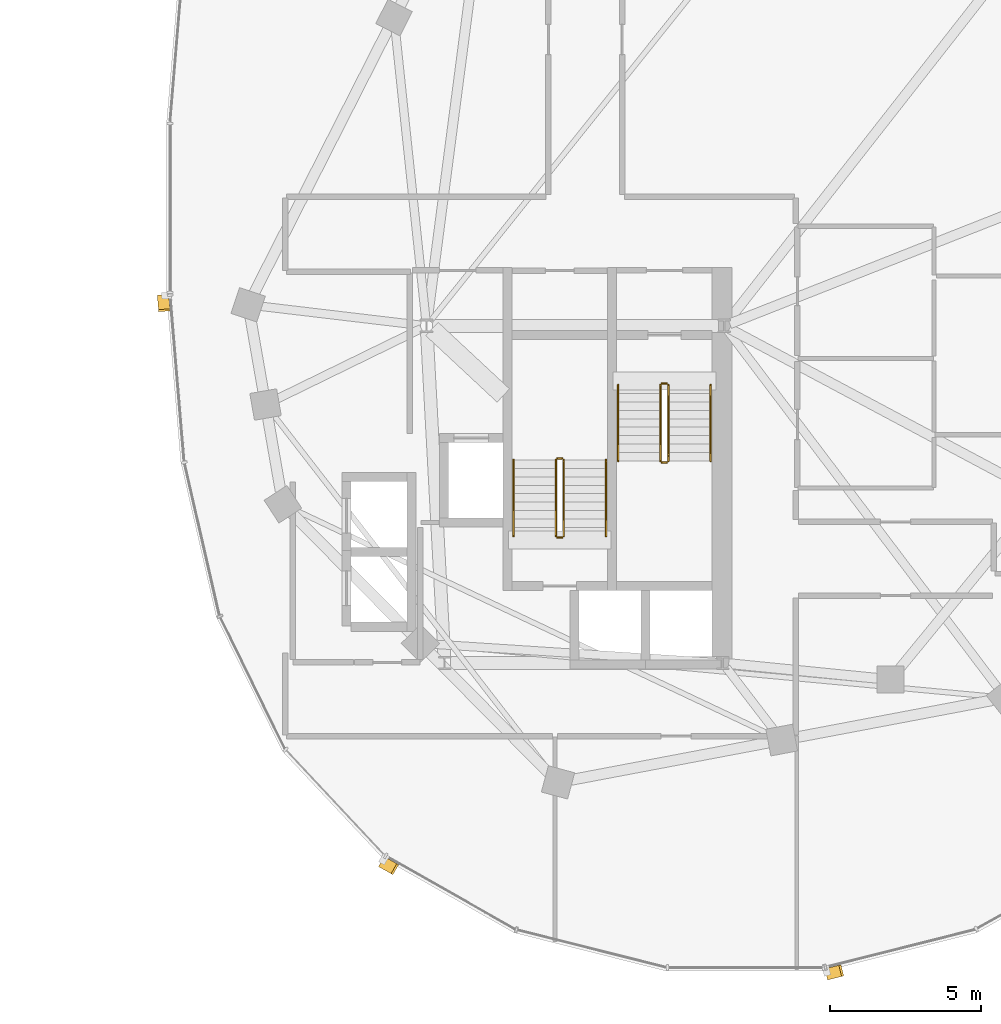
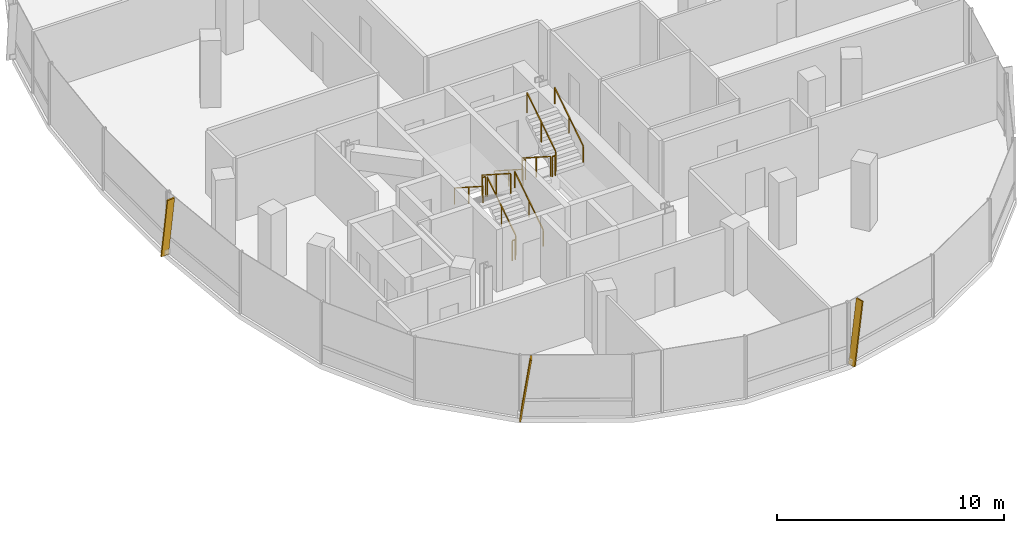
# One storey, part 24 of 25: 12 railings, 3 shading devices.
"""IFC4 building model written with IfcOpenShell, lengths in metres."""

from ifc_helpers import new_model, si_unit, direction, frame, origin, origin_2d, place, context, subcontext, project, spatial, rectangle, extrude, material, material_profile, profile_set, type_object, element, save


model = new_model("IFC4")

# Units and contexts
model_context = context("Model", 3, precision=1e-05, world=origin(), true_north=direction((0.0, 1.0)))
body_context = subcontext(model_context, "Body", "Model", "MODEL_VIEW")
ifc_project = project(units=[si_unit("LENGTHUNIT", "METRE"), si_unit("AREAUNIT", "SQUARE_METRE"), si_unit("VOLUMEUNIT", "CUBIC_METRE"), si_unit("PLANEANGLEUNIT", "RADIAN"), si_unit("MASSUNIT", "GRAM", prefix="KILO"), si_unit("THERMODYNAMICTEMPERATUREUNIT", "KELVIN"), si_unit("POWERUNIT", "WATT")], contexts=[model_context])

# Site, building, storey
site_placement = place(None, origin())
site = spatial("IfcSite", under=ifc_project, at=site_placement, CompositionType="ELEMENT")
building_placement = place(site_placement, origin())
building = spatial("IfcBuilding", under=site, at=building_placement, Name="Cundina Bronze Exchange", CompositionType="ELEMENT")
storey_placement = place(building_placement, frame((0.0, 0.0, 213.39990234375)))
storey = spatial("IfcBuildingStorey", under=building, at=storey_placement, Name="L56", CompositionType="ELEMENT", Elevation=213.39990234375)

# Railings
ifc_material_1 = material(Name="Steel ASTM A36 Painted", Category="steel")
railing_type_1 = type_object("IfcRailingType", Name="RLG-HND-900", PredefinedType="HANDRAIL", material=ifc_material_1)
railing_1_placement = place(storey_placement, frame((27.7900390625, -5.85009765625, 0.18017578125)))
element("IfcRailing", 1, at=railing_1_placement, inside=storey, type_object=railing_type_1, Name="L56 ST-E1 stair handrail 1", PredefinedType="HANDRAIL", context=body_context, shape_type="SweptSolid", body=[
    extrude(rectangle(XDim=0.048095703125, YDim=0.048095703125, at=origin_2d()), frame((0.0, 0.0, 0.8759765625), z_axis=(0.0, -0.841199657755, 0.540724639528), x_axis=(1.0, 0.0, 0.0)), (0.0, 0.0, 1.0), 2.995849609375),
    extrude(rectangle(XDim=0.0419921875, YDim=0.0419921875, at=origin_2d()), origin(), (0.0, 0.0, 1.0), 0.851806640625),
    extrude(rectangle(XDim=0.0419921875, YDim=0.0419921875, at=origin_2d()), frame((0.0, -1.260009765625, 0.81005859375)), (0.0, 0.0, 1.0), 0.851806640625),
    extrude(rectangle(XDim=0.0419921875, YDim=0.0419921875, at=origin_2d()), frame((0.0, -2.52001953125, 1.619873046875)), (0.0, 0.0, 1.0), 0.851806640625),
])
railing_2_placement = place(storey_placement, frame((30.85009765625, -8.3701171875, 1.97998046875)))
element("IfcRailing", 2, at=railing_2_placement, inside=storey, type_object=railing_type_1, Name="L56 ST-E1 stair handrail 2", PredefinedType="HANDRAIL", context=body_context, shape_type="SweptSolid", body=[
    extrude(rectangle(XDim=0.048095703125, YDim=0.048095703125, at=origin_2d()), frame((0.0, 0.0, 0.8759765625), z_axis=(0.0, 0.841162588446, 0.540782303519), x_axis=(-1.0, 0.0, 0.0)), (0.0, 0.0, 1.0), 2.995849609375),
    extrude(rectangle(XDim=0.0419921875, YDim=0.0419921875, at=origin_2d()), origin(), (0.0, 0.0, 1.0), 0.851806640625),
    extrude(rectangle(XDim=0.0419921875, YDim=0.0419921875, at=origin_2d()), frame((0.0, 1.260009765625, 0.81005859375)), (0.0, 0.0, 1.0), 0.851806640625),
    extrude(rectangle(XDim=0.0419921875, YDim=0.0419921875, at=origin_2d()), frame((0.0, 2.52001953125, 1.6201171875)), (0.0, 0.0, 1.0), 0.851806640625),
])
railing_3_placement = place(storey_placement, frame((27.389892578125, -10.85009765625, 0.18017578125)))
element("IfcRailing", 3, at=railing_3_placement, inside=storey, type_object=railing_type_1, Name="L56 ST-E2 stair handrail 1", PredefinedType="HANDRAIL", context=body_context, shape_type="SweptSolid", body=[
    extrude(rectangle(XDim=0.048095703125, YDim=0.048095703125, at=origin_2d()), frame((0.0, 0.0, 0.8759765625), z_axis=(0.0, 0.841199657755, 0.540724639528), x_axis=(-1.0, 0.0, 0.0)), (0.0, 0.0, 1.0), 2.995849609375),
    extrude(rectangle(XDim=0.0419921875, YDim=0.0419921875, at=origin_2d()), origin(), (0.0, 0.0, 1.0), 0.851806640625),
    extrude(rectangle(XDim=0.0419921875, YDim=0.0419921875, at=origin_2d()), frame((0.0, 1.260009765625, 0.81005859375)), (0.0, 0.0, 1.0), 0.851806640625),
    extrude(rectangle(XDim=0.0419921875, YDim=0.0419921875, at=origin_2d()), frame((0.0, 2.52001953125, 1.619873046875)), (0.0, 0.0, 1.0), 0.851806640625),
])
railing_4_placement = place(storey_placement, frame((24.330078125, -8.330078125, 1.97998046875)))
element("IfcRailing", 4, at=railing_4_placement, inside=storey, type_object=railing_type_1, Name="L56 ST-E2 stair handrail 2", PredefinedType="HANDRAIL", context=body_context, shape_type="SweptSolid", body=[
    extrude(rectangle(XDim=0.048095703125, YDim=0.048095703125, at=origin_2d()), frame((0.0, 0.0, 0.8759765625), z_axis=(0.0, -0.841162588446, 0.540782303519), x_axis=(1.0, 0.0, 0.0)), (0.0, 0.0, 1.0), 2.995849609375),
    extrude(rectangle(XDim=0.0419921875, YDim=0.0419921875, at=origin_2d()), origin(), (0.0, 0.0, 1.0), 0.851806640625),
    extrude(rectangle(XDim=0.0419921875, YDim=0.0419921875, at=origin_2d()), frame((0.0, -1.260009765625, 0.81005859375)), (0.0, 0.0, 1.0), 0.851806640625),
    extrude(rectangle(XDim=0.0419921875, YDim=0.0419921875, at=origin_2d()), frame((0.0, -2.52001953125, 1.6201171875)), (0.0, 0.0, 1.0), 0.851806640625),
])
railing_type_2 = type_object("IfcRailingType", Name="RLG-STG-1100", PredefinedType="GUARDRAIL", material=ifc_material_1)
railing_5_placement = place(storey_placement, frame((29.18994140625, -5.85009765625, 0.18017578125)))
element("IfcRailing", 5, at=railing_5_placement, inside=storey, type_object=railing_type_2, Name="L56 ST-E1 stair guard 1", PredefinedType="GUARDRAIL", context=body_context, shape_type="SweptSolid", body=[
    extrude(rectangle(XDim=0.048095703125, YDim=0.048095703125, at=origin_2d()), frame((0.0, 0.0, 1.076171875), z_axis=(0.0, -0.841199657755, 0.540724639528), x_axis=(1.0, 0.0, 0.0)), (0.0, 0.0, 1.0), 2.995849609375),
    extrude(rectangle(XDim=0.0419921875, YDim=0.0419921875, at=origin_2d()), origin(), (0.0, 0.0, 1.0), 1.052001953125),
    extrude(rectangle(XDim=0.0419921875, YDim=0.0419921875, at=origin_2d()), frame((0.0, -1.260009765625, 0.81005859375)), (0.0, 0.0, 1.0), 1.052001953125),
    extrude(rectangle(XDim=0.0419921875, YDim=0.0419921875, at=origin_2d()), frame((0.0, -2.52001953125, 1.619873046875)), (0.0, 0.0, 1.0), 1.052001953125),
])
railing_6_placement = place(storey_placement, frame((29.239990234375, -8.419921875, 1.800048828125)))
element("IfcRailing", 6, at=railing_6_placement, inside=storey, type_object=railing_type_2, Name="L56 ST-E1 stair guard 2", PredefinedType="GUARDRAIL", context=body_context, shape_type="SweptSolid", body=[
    extrude(rectangle(XDim=0.048095703125, YDim=0.048095703125, at=origin_2d()), frame((0.0, 0.0, 1.076171875), z_axis=(1.0, 0.0, 0.0), x_axis=(0.0, 1.0, 0.0)), (0.0, 0.0, 1.0), 0.159912109375),
    extrude(rectangle(XDim=0.0419921875, YDim=0.0419921875, at=origin_2d()), origin(), (0.0, 0.0, 1.0), 1.052001953125),
    extrude(rectangle(XDim=0.0419921875, YDim=0.0419921875, at=origin_2d()), frame((0.159912109375, 0.0, 0.0)), (0.0, 0.0, 1.0), 1.052001953125),
])
railing_7_placement = place(storey_placement, frame((29.449951171875, -8.3701171875, 1.97998046875)))
element("IfcRailing", 7, at=railing_7_placement, inside=storey, type_object=railing_type_2, Name="L56 ST-E1 stair guard 3", PredefinedType="GUARDRAIL", context=body_context, shape_type="SweptSolid", body=[
    extrude(rectangle(XDim=0.048095703125, YDim=0.048095703125, at=origin_2d()), frame((0.0, 0.0, 1.076171875), z_axis=(0.0, 0.841162588446, 0.540782303519), x_axis=(-1.0, 0.0, 0.0)), (0.0, 0.0, 1.0), 2.995849609375),
    extrude(rectangle(XDim=0.0419921875, YDim=0.0419921875, at=origin_2d()), origin(), (0.0, 0.0, 1.0), 1.052001953125),
    extrude(rectangle(XDim=0.0419921875, YDim=0.0419921875, at=origin_2d()), frame((0.0, 1.260009765625, 0.81005859375)), (0.0, 0.0, 1.0), 1.052001953125),
    extrude(rectangle(XDim=0.0419921875, YDim=0.0419921875, at=origin_2d()), frame((0.0, 2.52001953125, 1.6201171875)), (0.0, 0.0, 1.0), 1.052001953125),
])
railing_8_placement = place(storey_placement, frame((29.239990234375, -5.800048828125, 0.0)))
element("IfcRailing", 8, at=railing_8_placement, inside=storey, type_object=railing_type_2, Name="L56 ST-E1 stair guard 4", PredefinedType="GUARDRAIL", context=body_context, shape_type="SweptSolid", body=[
    extrude(rectangle(XDim=0.048095703125, YDim=0.048095703125, at=origin_2d()), frame((0.0, 0.0, 1.076171875), z_axis=(1.0, 0.0, 0.0), x_axis=(0.0, 1.0, 0.0)), (0.0, 0.0, 1.0), 0.159912109375),
    extrude(rectangle(XDim=0.0419921875, YDim=0.0419921875, at=origin_2d()), origin(), (0.0, 0.0, 1.0), 1.052001953125),
    extrude(rectangle(XDim=0.0419921875, YDim=0.0419921875, at=origin_2d()), frame((0.159912109375, 0.0, 0.0)), (0.0, 0.0, 1.0), 1.052001953125),
])
railing_9_placement = place(storey_placement, frame((25.989990234375, -10.85009765625, 0.18017578125)))
element("IfcRailing", 9, at=railing_9_placement, inside=storey, type_object=railing_type_2, Name="L56 ST-E2 stair guard 1", PredefinedType="GUARDRAIL", context=body_context, shape_type="SweptSolid", body=[
    extrude(rectangle(XDim=0.048095703125, YDim=0.048095703125, at=origin_2d()), frame((0.0, 0.0, 1.076171875), z_axis=(0.0, 0.841199657755, 0.540724639528), x_axis=(-1.0, 0.0, 0.0)), (0.0, 0.0, 1.0), 2.995849609375),
    extrude(rectangle(XDim=0.0419921875, YDim=0.0419921875, at=origin_2d()), origin(), (0.0, 0.0, 1.0), 1.052001953125),
    extrude(rectangle(XDim=0.0419921875, YDim=0.0419921875, at=origin_2d()), frame((0.0, 1.260009765625, 0.81005859375)), (0.0, 0.0, 1.0), 1.052001953125),
    extrude(rectangle(XDim=0.0419921875, YDim=0.0419921875, at=origin_2d()), frame((0.0, 2.52001953125, 1.619873046875)), (0.0, 0.0, 1.0), 1.052001953125),
])
railing_10_placement = place(storey_placement, frame((25.93994140625, -8.280029296875, 1.800048828125)))
element("IfcRailing", 10, at=railing_10_placement, inside=storey, type_object=railing_type_2, Name="L56 ST-E2 stair guard 2", PredefinedType="GUARDRAIL", context=body_context, shape_type="SweptSolid", body=[
    extrude(rectangle(XDim=0.048095703125, YDim=0.048095703125, at=origin_2d()), frame((0.0, 0.0, 1.076171875), z_axis=(-1.0, 0.0, 0.0), x_axis=(0.0, -1.0, 0.0)), (0.0, 0.0, 1.0), 0.159912109375),
    extrude(rectangle(XDim=0.0419921875, YDim=0.0419921875, at=origin_2d()), origin(), (0.0, 0.0, 1.0), 1.052001953125),
    extrude(rectangle(XDim=0.0419921875, YDim=0.0419921875, at=origin_2d()), frame((-0.159912109375, 0.0, 0.0)), (0.0, 0.0, 1.0), 1.052001953125),
])
railing_11_placement = place(storey_placement, frame((25.72998046875, -8.330078125, 1.97998046875)))
element("IfcRailing", 11, at=railing_11_placement, inside=storey, type_object=railing_type_2, Name="L56 ST-E2 stair guard 3", PredefinedType="GUARDRAIL", context=body_context, shape_type="SweptSolid", body=[
    extrude(rectangle(XDim=0.048095703125, YDim=0.048095703125, at=origin_2d()), frame((0.0, 0.0, 1.076171875), z_axis=(0.0, -0.841162588446, 0.540782303519), x_axis=(1.0, 0.0, 0.0)), (0.0, 0.0, 1.0), 2.995849609375),
    extrude(rectangle(XDim=0.0419921875, YDim=0.0419921875, at=origin_2d()), origin(), (0.0, 0.0, 1.0), 1.052001953125),
    extrude(rectangle(XDim=0.0419921875, YDim=0.0419921875, at=origin_2d()), frame((0.0, -1.260009765625, 0.81005859375)), (0.0, 0.0, 1.0), 1.052001953125),
    extrude(rectangle(XDim=0.0419921875, YDim=0.0419921875, at=origin_2d()), frame((0.0, -2.52001953125, 1.6201171875)), (0.0, 0.0, 1.0), 1.052001953125),
])
railing_12_placement = place(storey_placement, frame((25.93994140625, -10.89990234375, 0.0)))
element("IfcRailing", 12, at=railing_12_placement, inside=storey, type_object=railing_type_2, Name="L56 ST-E2 stair guard 4", PredefinedType="GUARDRAIL", context=body_context, shape_type="SweptSolid", body=[
    extrude(rectangle(XDim=0.048095703125, YDim=0.048095703125, at=origin_2d()), frame((0.0, 0.0, 1.076171875), z_axis=(-1.0, 0.0, 0.0), x_axis=(0.0, -1.0, 0.0)), (0.0, 0.0, 1.0), 0.159912109375),
    extrude(rectangle(XDim=0.0419921875, YDim=0.0419921875, at=origin_2d()), origin(), (0.0, 0.0, 1.0), 1.052001953125),
    extrude(rectangle(XDim=0.0419921875, YDim=0.0419921875, at=origin_2d()), frame((-0.159912109375, 0.0, 0.0)), (0.0, 0.0, 1.0), 1.052001953125),
])

# Shading devices
ifc_material_2 = material(Name="Anodised Bronze Aluminium 6063-T6", Category="aluminium")
ifc_material_profile = material_profile(ifc_material_2, rectangle(XDim=0.070068359375, YDim=0.3798828125, at=origin_2d()), Name="FIN70X380", Category="aluminium")
ifc_profile_set = profile_set([ifc_material_profile], Name="Anodised Bronze Aluminium 6063-T6")
shading_device_type = type_object("IfcShadingDeviceType", Name="SHD-FIN-BRZ380", PredefinedType="USERDEFINED", material=ifc_profile_set)
for number, where, z_axis, x_axis, name in (
    (13, (12.735595703125, -2.90283203125, 0.02001953125), (0.012006555776, -0.143419772964, 0.98958911238), (-0.082555834947, 0.986139516224, 0.143921466983), "L56 Diagonal Bronze Solar Fin 1"),
    (14, (19.984375, -21.635498046875, 0.02001953125), (0.125189514072, -0.071087145125, 0.989582843103), (-0.860526986551, 0.488638423358, 0.143964567292), "L56 Diagonal Bronze Solar Fin 5"),
    (15, (34.705810546875, -25.344482421875, 0.02001953125), (0.139611891367, 0.03514090606, 0.989582556693), (-0.959650042543, -0.24154799183, 0.143966536007), "L56 Diagonal Bronze Solar Fin 1"),
):
    element("IfcShadingDevice", number, at=place(storey_placement, frame(where, z_axis=z_axis, x_axis=x_axis)), inside=storey, type_object=shading_device_type, Name=name, ObjectType="FIN", PredefinedType="USERDEFINED", context=body_context, shape_type="SweptSolid", body=[
        extrude(rectangle(XDim=0.070068359375, YDim=0.3798828125, at=origin_2d()), origin(), (0.0, 0.0, 1.0), 3.334716796875),
    ])

save(model, "model.ifc")
